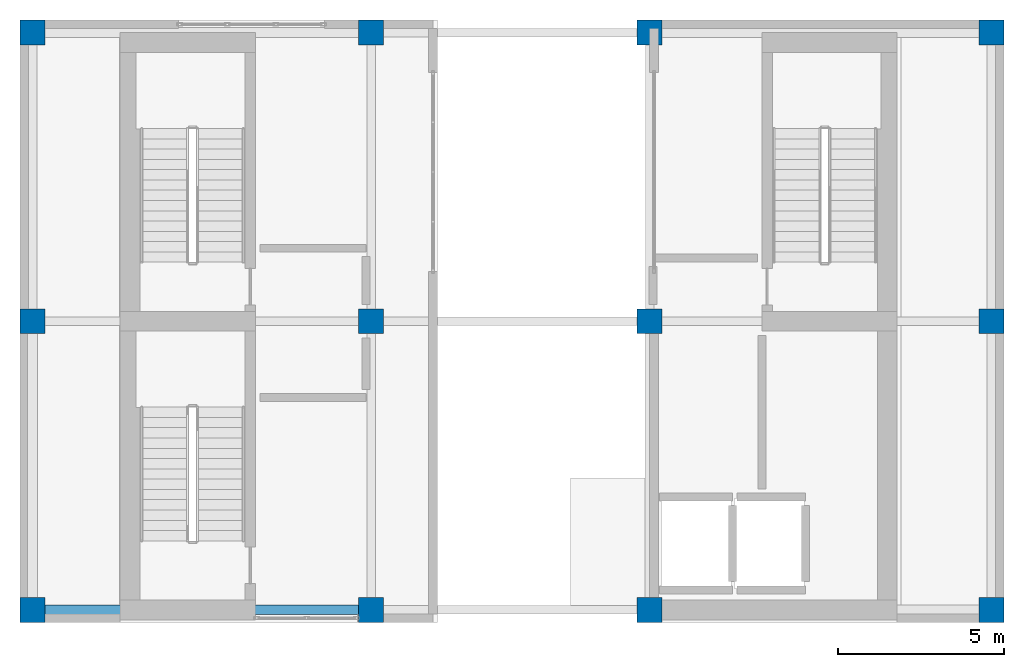
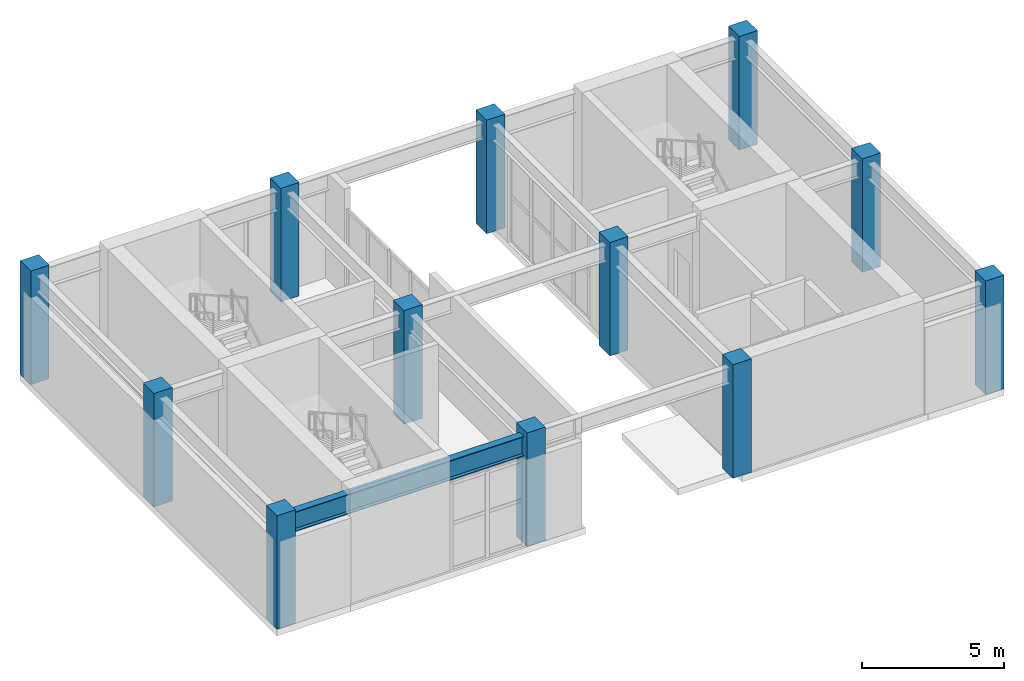
# One storey, part 1 of 11: 12 columns, 1 beam.
"""IFC4 building model written with IfcOpenShell, lengths in metres."""

from ifc_helpers import new_model, si_unit, direction, frame, origin, origin_2d, place, context, subcontext, project, spatial, rectangle, i_section, extrude, material, material_profile, profile_set, type_object, element, save


model = new_model("IFC4")

# Units and contexts
model_context = context("Model", 3, precision=1e-05, world=origin(), true_north=direction((0.0, 1.0)))
body_context = subcontext(model_context, "Body", "Model", "MODEL_VIEW")
ifc_project = project(units=[si_unit("LENGTHUNIT", "METRE"), si_unit("AREAUNIT", "SQUARE_METRE"), si_unit("VOLUMEUNIT", "CUBIC_METRE"), si_unit("PLANEANGLEUNIT", "RADIAN"), si_unit("MASSUNIT", "GRAM", prefix="KILO")], contexts=[model_context])

# Site, building, storey
site_placement = place(None, origin())
site = spatial("IfcSite", under=ifc_project, at=site_placement, CompositionType="ELEMENT")
building_placement = place(site_placement, origin())
building = spatial("IfcBuilding", under=site, at=building_placement, Name="Solanera Arch Residences", CompositionType="ELEMENT")
storey_placement = place(building_placement, frame((0.0, 0.0, 282.97998046875)))
storey = spatial("IfcBuildingStorey", under=building, at=storey_placement, Name="L81", CompositionType="ELEMENT", Elevation=282.97998046875)

# Columns
ifc_material_1 = material(Name="Concrete C40/50 (f'c = 45 MPa)", Category="concrete")
ifc_material_profile_1 = material_profile(ifc_material_1, rectangle(XDim=0.75, YDim=0.75, at=origin_2d()))
ifc_profile_set_1 = profile_set([ifc_material_profile_1], Name="Concrete C40/50 (f'c = 45 MPa)")
column_type = type_object("IfcColumnType", Name="Structural Column RC-COL-750X750", PredefinedType="COLUMN", material=ifc_profile_set_1)
for number, where, z_axis, x_axis, name in (
    (1, (20.800048828125, 30.699951171875, 0.0), (0.0, 0.0, 1.0), (1.0, 0.0, 0.0), "COL-L81-CORE-W"),
    (2, (29.199951171875, 30.699951171875, 0.0), (0.0, 0.0, 1.0), (1.0, 0.0, 0.0), "COL-L81-CORE-E"),
    (3, (10.60009765625, 22.0, 0.0), (0.0, 0.0, 1.0), (1.0, 0.0, 0.0), "COL-L81-CRN-01"),
    (4, (20.800048828125, 22.0, 0.0), (0.0, 0.0, 1.0), (1.0, 0.0, 0.0), "COL-L81-CRN-02"),
    (5, (10.60009765625, 30.699951171875, 0.0), (0.0, 0.0, 1.0), (1.0, 0.0, 0.0), "COL-L81-CRN-03"),
    (6, (10.60009765625, 39.39990234375, 0.0), (0.0, 0.0, 1.0), (1.0, 0.0, 0.0), "COL-L81-CRN-04"),
    (7, (20.800048828125, 39.39990234375, 0.0), (0.0, 0.0, 1.0), (1.0, 0.0, 0.0), "COL-L81-CRN-05"),
    (8, (29.199951171875, 22.0, 0.0), (0.0, 0.0, 1.0), (1.0, 0.0, 0.0), "COL-L81-CRN-06"),
    (9, (39.5, 22.0, 0.0), (0.0, 0.0, 1.0), (1.0, 0.0, 0.0), "COL-L81-CRN-07"),
    (10, (39.5, 30.699951171875, 0.0), (0.0, 0.0, 1.0), (1.0, 0.0, 0.0), "COL-L81-CRN-08"),
    (11, (29.199951171875, 39.39990234375, 0.0), (0.0, 0.0, 1.0), (1.0, 0.0, 0.0), "COL-L81-CRN-09"),
    (12, (39.5, 39.39990234375, 0.0), (0.0, 0.0, 1.0), (1.0, 0.0, 0.0), "COL-L81-CRN-10"),
):
    element("IfcColumn", number, at=place(storey_placement, frame(where, z_axis=z_axis, x_axis=x_axis)), inside=storey, type_object=column_type, Name=name, PredefinedType="COLUMN", context=body_context, shape_type="SweptSolid", body=[
        extrude(rectangle(XDim=0.75, YDim=0.75, at=origin_2d()), origin(), (0.0, 0.0, 1.0), 4.89990234375),
    ])

# Beam
ifc_material_2 = material(Name="Steel S355 (ASTM A992 / A572 Grade 50)", Category="steel")
ifc_material_profile_2 = material_profile(ifc_material_2, i_section(OverallWidth=0.2939453125, OverallDepth=0.85107421875, WebThickness=0.01611328125, FlangeThickness=0.02685546875, at=origin_2d()))
ifc_profile_set_2 = profile_set([ifc_material_profile_2], Name="Steel S355 (ASTM A992 / A572 Grade 50)")
beam_type = type_object("IfcBeamType", Name="Primary Beam W840X226", PredefinedType="BEAM", material=ifc_profile_set_2)
beam_placement = place(storey_placement, frame((10.97509765625, 22.0, 4.195068359375), z_axis=(1.0, 0.0, 0.0), x_axis=(0.0, 1.0, 0.0)))
element("IfcBeam", 13, at=beam_placement, inside=storey, type_object=beam_type, Name="BM-L81-CR-WS", PredefinedType="BEAM", context=body_context, shape_type="SweptSolid", body=[
    extrude(i_section(OverallWidth=0.2939453125, OverallDepth=0.85107421875, WebThickness=0.01611328125, FlangeThickness=0.02685546875, at=origin_2d()), origin(), (0.0, 0.0, 1.0), 9.449951171875),
])

save(model, "model.ifc")
